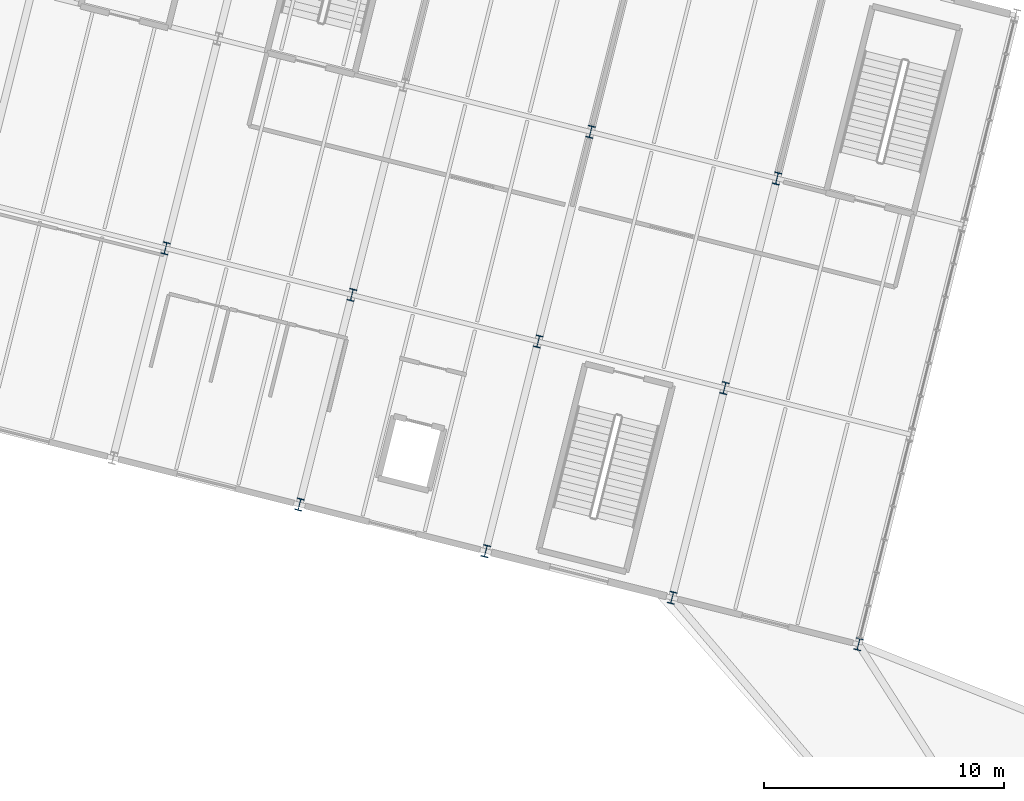
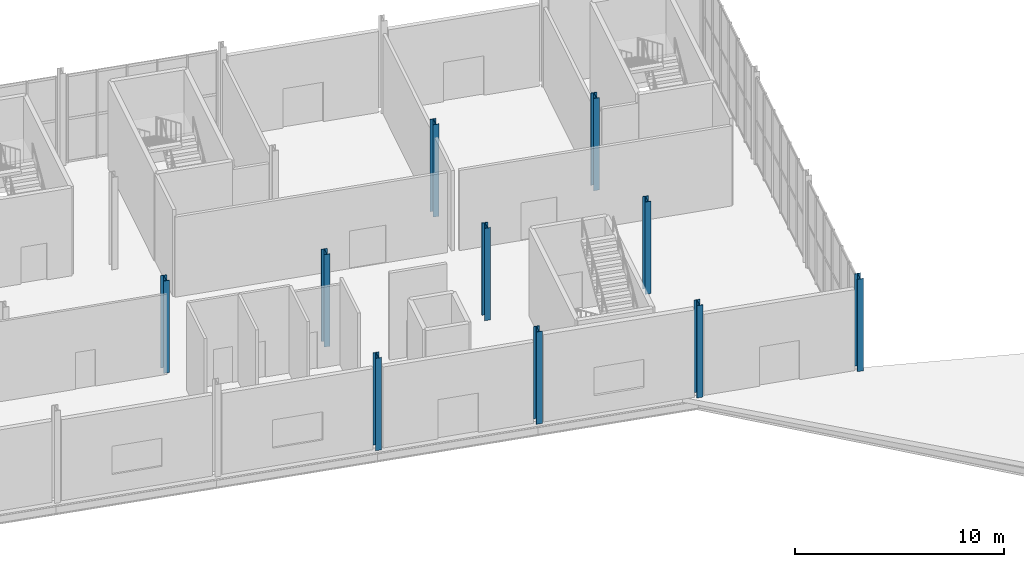
# One storey, part 26 of 158: 10 columns.
"""IFC4 building model written with IfcOpenShell, lengths in metres."""

from ifc_helpers import new_model, si_unit, derived_unit, direction, frame, origin, origin_2d, place, context, subcontext, project, spatial, i_section, extrude, material, material_profile, profile_set, type_object, element, save


model = new_model("IFC4")

# Units and contexts
model_context = context("Model", 3, precision=1e-05, world=origin(), true_north=direction((0.0, 1.0)))
body_context = subcontext(model_context, "Body", "Model", "MODEL_VIEW")
ifc_project = project(units=[si_unit("LENGTHUNIT", "METRE"), si_unit("AREAUNIT", "SQUARE_METRE"), si_unit("VOLUMEUNIT", "CUBIC_METRE"), si_unit("PLANEANGLEUNIT", "RADIAN"), si_unit("MASSUNIT", "GRAM", prefix="KILO"), si_unit("THERMODYNAMICTEMPERATUREUNIT", "KELVIN"), si_unit("TIMEUNIT", "SECOND"), derived_unit("THERMALTRANSMITTANCEUNIT", [(si_unit("MASSUNIT", "GRAM", prefix="KILO"), 1), (si_unit("THERMODYNAMICTEMPERATUREUNIT", "KELVIN"), -1), (si_unit("TIMEUNIT", "SECOND"), -3)])], contexts=[model_context])

# Site, building, storey
site_placement = place(None, origin())
site = spatial("IfcSite", under=ifc_project, at=site_placement, CompositionType="ELEMENT")
building_placement = place(site_placement, origin())
building = spatial("IfcBuilding", under=site, at=building_placement, Name="Cambertide Market Hall", CompositionType="ELEMENT")
storey_placement = place(building_placement, origin())
storey = spatial("IfcBuildingStorey", under=building, at=storey_placement, Name="L01", CompositionType="ELEMENT", Elevation=0.0)

# Columns
ifc_material_1 = material(Name="Steel S355", Category="steel")
ifc_material_profile_1 = material_profile(ifc_material_1, i_section(OverallWidth=0.300048828125, OverallDepth=0.5, WebThickness=0.014404296875, FlangeThickness=0.028076171875, FilletRadius=0.027099609375, at=origin_2d()), Name="HEB 500")
ifc_profile_set_1 = profile_set([ifc_material_profile_1], Name="Steel S355")
column_type_1 = type_object("IfcColumnType", Name="Exterior Steel Column HEB 500", PredefinedType="COLUMN", material=ifc_profile_set_1)
for number, where, z_axis, x_axis, name in (
    (1, (146.8056640625, 90.298583984375, 0.0), (0.0, 0.0, 1.0), (0.970142500145, -0.242535625038, 0.0), "Level 1 Column COL-V4-6-1-L01"),
    (2, (154.56689453125, 88.3583984375, 0.0), (0.0, 0.0, 1.0), (0.970142500145, -0.242535625038, 0.0), "Level 1 Column COL-V4-7-1-L01"),
    (3, (162.327880859375, 86.41796875, 0.0), (0.0, 0.0, 1.0), (0.970142500145, -0.242535625038, 0.0), "Level 1 Column COL-V4-8-1-L01"),
    (4, (170.089111328125, 84.477783203125, 0.0), (0.0, 0.0, 1.0), (0.970142500145, -0.242535625038, 0.0), "Level 1 Column COL-V4-9-1-L01"),
):
    element("IfcColumn", number, at=place(storey_placement, frame(where, z_axis=z_axis, x_axis=x_axis)), inside=storey, type_object=column_type_1, Name=name, PredefinedType="COLUMN", context=body_context, shape_type="SweptSolid", body=[
        extrude(i_section(OverallWidth=0.300048828125, OverallDepth=0.5, WebThickness=0.014404296875, FlangeThickness=0.028076171875, FilletRadius=0.027099609375, at=origin_2d()), origin(), (0.0, 0.0, 1.0), 5.39990234375),
    ])
ifc_material_2 = material(Name="Steel S355", Category="steel")
ifc_material_profile_2 = material_profile(ifc_material_2, i_section(OverallWidth=0.300048828125, OverallDepth=0.5, WebThickness=0.014404296875, FlangeThickness=0.028076171875, FilletRadius=0.027099609375, at=origin_2d()), Name="HEB 500")
ifc_profile_set_2 = profile_set([ifc_material_profile_2], Name="Steel S355")
column_type_2 = type_object("IfcColumnType", Name="Steel Column HEB 500", PredefinedType="COLUMN", material=ifc_profile_set_2)
for number, where, z_axis, x_axis, name in (
    (5, (141.227294921875, 100.97021484375, 0.0), (0.0, 0.0, 1.0), (0.970142500145, -0.242535625038, 0.0), "Level 1 Column COL-V4-5-2-L01"),
    (6, (148.988525390625, 99.02978515625, 0.0), (0.0, 0.0, 1.0), (0.970142500145, -0.242535625038, 0.0), "Level 1 Column COL-V4-6-2-L01"),
    (7, (156.749755859375, 97.089599609375, 0.0), (0.0, 0.0, 1.0), (0.970142500145, -0.242535625038, 0.0), "Level 1 Column COL-V4-7-2-L01"),
    (8, (158.932373046875, 105.82080078125, 0.0), (0.0, 0.0, 1.0), (0.970142500145, -0.242535625038, 0.0), "Level 1 Column COL-V4-7-3-L01"),
    (9, (164.5107421875, 95.149169921875, 0.0), (0.0, 0.0, 1.0), (0.970142500145, -0.242535625038, 0.0), "Level 1 Column COL-V4-8-2-L01"),
    (10, (166.693603515625, 103.880615234375, 0.0), (0.0, 0.0, 1.0), (0.970142500145, -0.242535625038, 0.0), "Level 1 Column COL-V4-8-3-L01"),
):
    element("IfcColumn", number, at=place(storey_placement, frame(where, z_axis=z_axis, x_axis=x_axis)), inside=storey, type_object=column_type_2, Name=name, PredefinedType="COLUMN", context=body_context, shape_type="SweptSolid", body=[
        extrude(i_section(OverallWidth=0.300048828125, OverallDepth=0.5, WebThickness=0.014404296875, FlangeThickness=0.028076171875, FilletRadius=0.027099609375, at=origin_2d()), origin(), (0.0, 0.0, 1.0), 5.39990234375),
    ])

save(model, "model.ifc")
